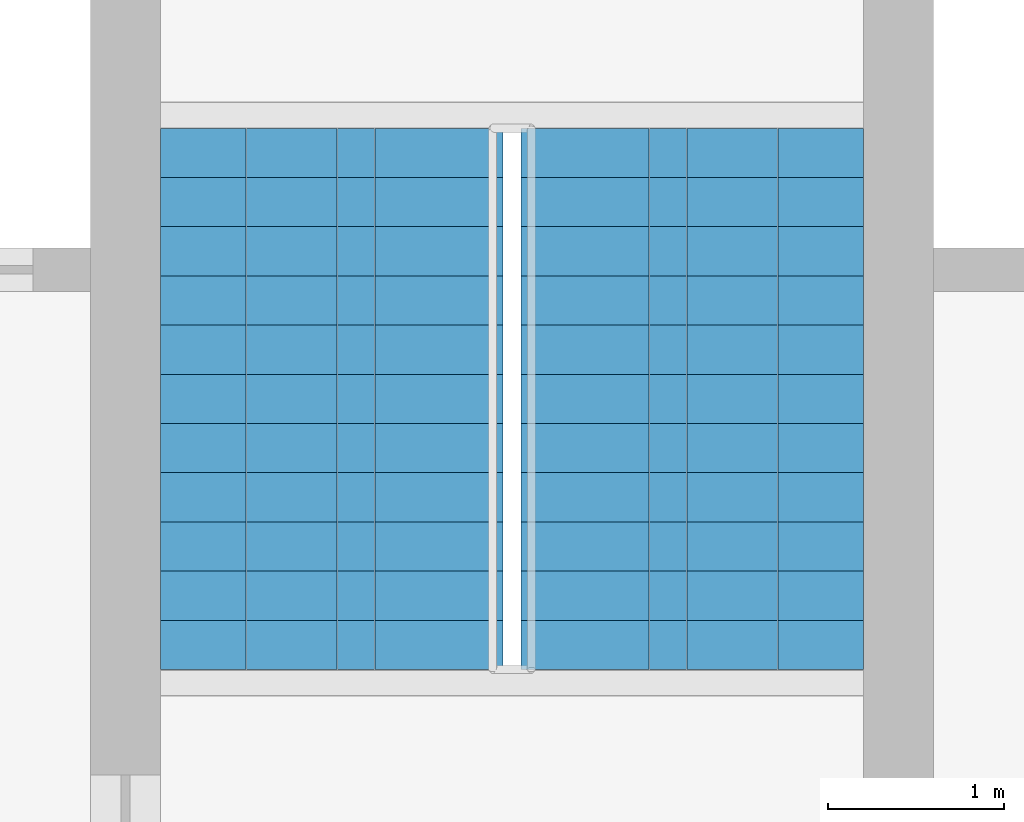
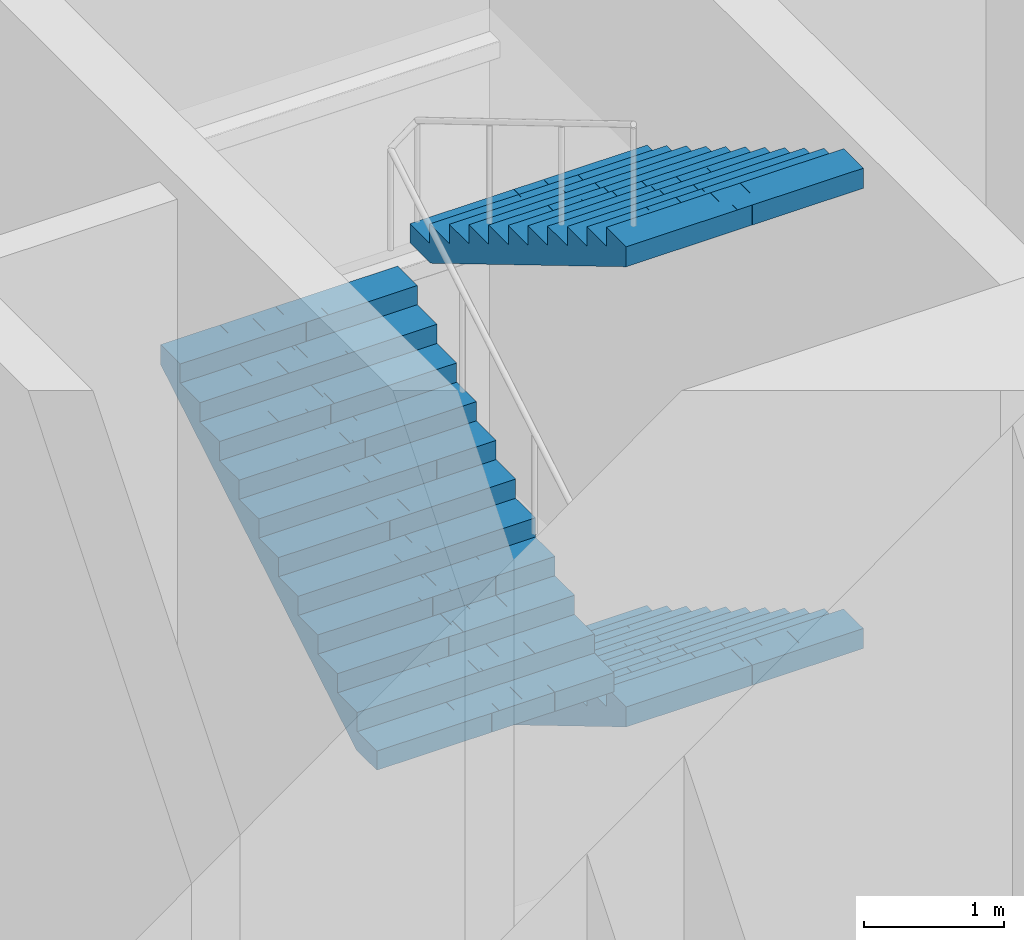
# One storey, part 20 of 25: 3 stair flights, 1 element without a shape of its own.
"""IFC4 building model written with IfcOpenShell, lengths in metres."""

from ifc_helpers import new_model, si_unit, direction, frame, origin, place, context, subcontext, project, spatial, polyline, outline, extrude, material, type_object, element, aggregate, save


model = new_model("IFC4")

# Units and contexts
model_context = context("Model", 3, precision=1e-05, world=origin(), true_north=direction((0.0, 1.0)))
body_context = subcontext(model_context, "Body", "Model", "MODEL_VIEW")
ifc_project = project(units=[si_unit("LENGTHUNIT", "METRE"), si_unit("AREAUNIT", "SQUARE_METRE"), si_unit("VOLUMEUNIT", "CUBIC_METRE"), si_unit("PLANEANGLEUNIT", "RADIAN"), si_unit("MASSUNIT", "GRAM", prefix="KILO")], contexts=[model_context])

# Site, building, storey
site_placement = place(None, origin())
site = spatial("IfcSite", under=ifc_project, at=site_placement, CompositionType="ELEMENT")
building_placement = place(site_placement, origin())
building = spatial("IfcBuilding", under=site, at=building_placement, Name="Mizan Broadcast Tower", CompositionType="ELEMENT")
storey_placement = place(building_placement, frame((0.0, 0.0, 15.0)))
storey = spatial("IfcBuildingStorey", under=building, at=storey_placement, Name="L02", CompositionType="ELEMENT", Elevation=15.0)

# Stair, stair flights
ifc_material_1 = material(Name="Concrete C40/50", Category="concrete")
stair_type = type_object("IfcStairType", Name="EXIT STAIR", PredefinedType="HALF_TURN_STAIR", material=ifc_material_1)
stair_placement = place(storey_placement, origin())
stair = element("IfcStair", 1, at=stair_placement, inside=storey, type_object=stair_type, Name="Stair A L02", PredefinedType="HALF_TURN_STAIR")
ifc_material_2 = material(Name="Concrete C40/50", Category="concrete")
stair_flight_type = type_object("IfcStairFlightType", Name="EXIT STAIR FLIGHT", PredefinedType="STRAIGHT", material=ifc_material_2)
stair_flight_1_placement = place(storey_placement, frame((1.02490234375, -4.820068359375, 2.0), z_axis=(0.0, 0.0, 1.0), x_axis=(0.0, -1.0, 0.0)))
stair_flight_1 = element("IfcStairFlight", 2, at=stair_flight_1_placement, type_object=stair_flight_type, Name="A flight 2", NumberOfRisers=12, NumberOfTreads=11, PredefinedType="STRAIGHT", RiserHeight=0.166666667, TreadLength=0.28, context=body_context, shape_type="SweptSolid", body=[
    extrude(outline(polyline([(0.0, 0.0), (0.0, 0.166748046875), (0.280029296875, 0.166748046875), (0.280029296875, 0.333251953125), (0.56005859375, 0.333251953125), (0.56005859375, 0.5), (0.840087890625, 0.5), (0.840087890625, 0.666748046875), (1.1201171875, 0.666748046875), (1.1201171875, 0.833251953125), (1.39990234375, 0.833251953125), (1.39990234375, 1.0), (1.679931640625, 1.0), (1.679931640625, 1.166748046875), (1.9599609375, 1.166748046875), (1.9599609375, 1.333251953125), (2.239990234375, 1.333251953125), (2.239990234375, 1.5), (2.52001953125, 1.5), (2.52001953125, 1.666748046875), (2.800048828125, 1.666748046875), (2.800048828125, 1.833251953125), (3.080078125, 1.833251953125), (3.080078125, 2.0), (3.080078125, 1.658935546875), (0.29296875, 0.0), (0.0, 0.0)])), frame((0.0, 0.97509765625, 0.0), z_axis=(0.0, -1.0, 0.0), x_axis=(1.0, 0.0, 0.0)), (0.0, 0.0, 1.0), 0.4873046875),
    extrude(outline(polyline([(0.0, 0.0), (0.0, 0.166748046875), (0.280029296875, 0.166748046875), (0.280029296875, 0.333251953125), (0.56005859375, 0.333251953125), (0.56005859375, 0.5), (0.840087890625, 0.5), (0.840087890625, 0.666748046875), (1.1201171875, 0.666748046875), (1.1201171875, 0.833251953125), (1.39990234375, 0.833251953125), (1.39990234375, 1.0), (1.679931640625, 1.0), (1.679931640625, 1.166748046875), (1.9599609375, 1.166748046875), (1.9599609375, 1.333251953125), (2.239990234375, 1.333251953125), (2.239990234375, 1.5), (2.52001953125, 1.5), (2.52001953125, 1.666748046875), (2.800048828125, 1.666748046875), (2.800048828125, 1.833251953125), (3.080078125, 1.833251953125), (3.080078125, 2.0), (3.080078125, 1.658935546875), (0.29296875, 0.0), (0.0, 0.0)])), frame((0.0, 0.4873046875, 0.0), z_axis=(0.0, -1.0, 0.0), x_axis=(1.0, 0.0, 0.0)), (0.0, 0.0, 1.0), 0.2431640625),
    extrude(outline(polyline([(0.0, 0.0), (0.0, 0.166748046875), (0.280029296875, 0.166748046875), (0.280029296875, 0.333251953125), (0.56005859375, 0.333251953125), (0.56005859375, 0.5), (0.840087890625, 0.5), (0.840087890625, 0.666748046875), (1.1201171875, 0.666748046875), (1.1201171875, 0.833251953125), (1.39990234375, 0.833251953125), (1.39990234375, 1.0), (1.679931640625, 1.0), (1.679931640625, 1.166748046875), (1.9599609375, 1.166748046875), (1.9599609375, 1.333251953125), (2.239990234375, 1.333251953125), (2.239990234375, 1.5), (2.52001953125, 1.5), (2.52001953125, 1.666748046875), (2.800048828125, 1.666748046875), (2.800048828125, 1.833251953125), (3.080078125, 1.833251953125), (3.080078125, 2.0), (3.080078125, 1.658935546875), (0.29296875, 0.0), (0.0, 0.0)])), frame((0.0, 0.24365234375, 0.0), z_axis=(0.0, -1.0, 0.0), x_axis=(1.0, 0.0, 0.0)), (0.0, 0.0, 1.0), 0.121337890625),
    extrude(outline(polyline([(0.0, 0.0), (0.0, 0.166748046875), (0.280029296875, 0.166748046875), (0.280029296875, 0.333251953125), (0.56005859375, 0.333251953125), (0.56005859375, 0.5), (0.840087890625, 0.5), (0.840087890625, 0.666748046875), (1.1201171875, 0.666748046875), (1.1201171875, 0.833251953125), (1.39990234375, 0.833251953125), (1.39990234375, 1.0), (1.679931640625, 1.0), (1.679931640625, 1.166748046875), (1.9599609375, 1.166748046875), (1.9599609375, 1.333251953125), (2.239990234375, 1.333251953125), (2.239990234375, 1.5), (2.52001953125, 1.5), (2.52001953125, 1.666748046875), (2.800048828125, 1.666748046875), (2.800048828125, 1.833251953125), (3.080078125, 1.833251953125), (3.080078125, 2.0), (3.080078125, 1.658935546875), (0.29296875, 0.0), (0.0, 0.0)])), frame((0.0, 0.121826171875, 0.0), z_axis=(0.0, -1.0, 0.0), x_axis=(1.0, 0.0, 0.0)), (0.0, 0.0, 1.0), 0.060546875),
    extrude(outline(polyline([(0.0, 0.0), (0.0, 0.166748046875), (0.280029296875, 0.166748046875), (0.280029296875, 0.333251953125), (0.56005859375, 0.333251953125), (0.56005859375, 0.5), (0.840087890625, 0.5), (0.840087890625, 0.666748046875), (1.1201171875, 0.666748046875), (1.1201171875, 0.833251953125), (1.39990234375, 0.833251953125), (1.39990234375, 1.0), (1.679931640625, 1.0), (1.679931640625, 1.166748046875), (1.9599609375, 1.166748046875), (1.9599609375, 1.333251953125), (2.239990234375, 1.333251953125), (2.239990234375, 1.5), (2.52001953125, 1.5), (2.52001953125, 1.666748046875), (2.800048828125, 1.666748046875), (2.800048828125, 1.833251953125), (3.080078125, 1.833251953125), (3.080078125, 2.0), (3.080078125, 1.658935546875), (0.29296875, 0.0), (0.0, 0.0)])), frame((0.0, 0.060791015625, 0.0), z_axis=(0.0, -1.0, 0.0), x_axis=(1.0, 0.0, 0.0)), (0.0, 0.0, 1.0), 0.030029296875),
    extrude(outline(polyline([(0.0, 0.0), (0.0, 0.166748046875), (0.280029296875, 0.166748046875), (0.280029296875, 0.333251953125), (0.56005859375, 0.333251953125), (0.56005859375, 0.5), (0.840087890625, 0.5), (0.840087890625, 0.666748046875), (1.1201171875, 0.666748046875), (1.1201171875, 0.833251953125), (1.39990234375, 0.833251953125), (1.39990234375, 1.0), (1.679931640625, 1.0), (1.679931640625, 1.166748046875), (1.9599609375, 1.166748046875), (1.9599609375, 1.333251953125), (2.239990234375, 1.333251953125), (2.239990234375, 1.5), (2.52001953125, 1.5), (2.52001953125, 1.666748046875), (2.800048828125, 1.666748046875), (2.800048828125, 1.833251953125), (3.080078125, 1.833251953125), (3.080078125, 2.0), (3.080078125, 1.658935546875), (0.29296875, 0.0), (0.0, 0.0)])), frame((0.0, 0.0302734375, 0.0), z_axis=(0.0, -1.0, 0.0), x_axis=(1.0, 0.0, 0.0)), (0.0, 0.0, 1.0), 0.060302734375),
    extrude(outline(polyline([(0.0, 0.0), (0.0, 0.166748046875), (0.280029296875, 0.166748046875), (0.280029296875, 0.333251953125), (0.56005859375, 0.333251953125), (0.56005859375, 0.5), (0.840087890625, 0.5), (0.840087890625, 0.666748046875), (1.1201171875, 0.666748046875), (1.1201171875, 0.833251953125), (1.39990234375, 0.833251953125), (1.39990234375, 1.0), (1.679931640625, 1.0), (1.679931640625, 1.166748046875), (1.9599609375, 1.166748046875), (1.9599609375, 1.333251953125), (2.239990234375, 1.333251953125), (2.239990234375, 1.5), (2.52001953125, 1.5), (2.52001953125, 1.666748046875), (2.800048828125, 1.666748046875), (2.800048828125, 1.833251953125), (3.080078125, 1.833251953125), (3.080078125, 2.0), (3.080078125, 1.658935546875), (0.29296875, 0.0), (0.0, 0.0)])), frame((0.0, -0.030517578125, 0.0), z_axis=(0.0, -1.0, 0.0), x_axis=(1.0, 0.0, 0.0)), (0.0, 0.0, 1.0), 0.030029296875),
    extrude(outline(polyline([(0.0, 0.0), (0.0, 0.166748046875), (0.280029296875, 0.166748046875), (0.280029296875, 0.333251953125), (0.56005859375, 0.333251953125), (0.56005859375, 0.5), (0.840087890625, 0.5), (0.840087890625, 0.666748046875), (1.1201171875, 0.666748046875), (1.1201171875, 0.833251953125), (1.39990234375, 0.833251953125), (1.39990234375, 1.0), (1.679931640625, 1.0), (1.679931640625, 1.166748046875), (1.9599609375, 1.166748046875), (1.9599609375, 1.333251953125), (2.239990234375, 1.333251953125), (2.239990234375, 1.5), (2.52001953125, 1.5), (2.52001953125, 1.666748046875), (2.800048828125, 1.666748046875), (2.800048828125, 1.833251953125), (3.080078125, 1.833251953125), (3.080078125, 2.0), (3.080078125, 1.658935546875), (0.29296875, 0.0), (0.0, 0.0)])), frame((0.0, -0.06103515625, 0.0), z_axis=(0.0, -1.0, 0.0), x_axis=(1.0, 0.0, 0.0)), (0.0, 0.0, 1.0), 0.060546875),
    extrude(outline(polyline([(0.0, 0.0), (0.0, 0.166748046875), (0.280029296875, 0.166748046875), (0.280029296875, 0.333251953125), (0.56005859375, 0.333251953125), (0.56005859375, 0.5), (0.840087890625, 0.5), (0.840087890625, 0.666748046875), (1.1201171875, 0.666748046875), (1.1201171875, 0.833251953125), (1.39990234375, 0.833251953125), (1.39990234375, 1.0), (1.679931640625, 1.0), (1.679931640625, 1.166748046875), (1.9599609375, 1.166748046875), (1.9599609375, 1.333251953125), (2.239990234375, 1.333251953125), (2.239990234375, 1.5), (2.52001953125, 1.5), (2.52001953125, 1.666748046875), (2.800048828125, 1.666748046875), (2.800048828125, 1.833251953125), (3.080078125, 1.833251953125), (3.080078125, 2.0), (3.080078125, 1.658935546875), (0.29296875, 0.0), (0.0, 0.0)])), frame((0.0, -0.1220703125, 0.0), z_axis=(0.0, -1.0, 0.0), x_axis=(1.0, 0.0, 0.0)), (0.0, 0.0, 1.0), 0.121337890625),
    extrude(outline(polyline([(0.0, 0.0), (0.0, 0.166748046875), (0.280029296875, 0.166748046875), (0.280029296875, 0.333251953125), (0.56005859375, 0.333251953125), (0.56005859375, 0.5), (0.840087890625, 0.5), (0.840087890625, 0.666748046875), (1.1201171875, 0.666748046875), (1.1201171875, 0.833251953125), (1.39990234375, 0.833251953125), (1.39990234375, 1.0), (1.679931640625, 1.0), (1.679931640625, 1.166748046875), (1.9599609375, 1.166748046875), (1.9599609375, 1.333251953125), (2.239990234375, 1.333251953125), (2.239990234375, 1.5), (2.52001953125, 1.5), (2.52001953125, 1.666748046875), (2.800048828125, 1.666748046875), (2.800048828125, 1.833251953125), (3.080078125, 1.833251953125), (3.080078125, 2.0), (3.080078125, 1.658935546875), (0.29296875, 0.0), (0.0, 0.0)])), frame((0.0, -0.243896484375, 0.0), z_axis=(0.0, -1.0, 0.0), x_axis=(1.0, 0.0, 0.0)), (0.0, 0.0, 1.0), 0.2431640625),
    extrude(outline(polyline([(0.0, 0.0), (0.0, 0.166748046875), (0.280029296875, 0.166748046875), (0.280029296875, 0.333251953125), (0.56005859375, 0.333251953125), (0.56005859375, 0.5), (0.840087890625, 0.5), (0.840087890625, 0.666748046875), (1.1201171875, 0.666748046875), (1.1201171875, 0.833251953125), (1.39990234375, 0.833251953125), (1.39990234375, 1.0), (1.679931640625, 1.0), (1.679931640625, 1.166748046875), (1.9599609375, 1.166748046875), (1.9599609375, 1.333251953125), (2.239990234375, 1.333251953125), (2.239990234375, 1.5), (2.52001953125, 1.5), (2.52001953125, 1.666748046875), (2.800048828125, 1.666748046875), (2.800048828125, 1.833251953125), (3.080078125, 1.833251953125), (3.080078125, 2.0), (3.080078125, 1.658935546875), (0.29296875, 0.0), (0.0, 0.0)])), frame((0.0, -0.487548828125, 0.0), z_axis=(0.0, -1.0, 0.0), x_axis=(1.0, 0.0, 0.0)), (0.0, 0.0, 1.0), 0.4873046875),
])
stair_flight_2_placement = place(storey_placement, frame((-1.02490234375, -7.89990234375, 4.0), z_axis=(0.0, 0.0, 1.0), x_axis=(0.0, 1.0, 0.0)))
stair_flight_2 = element("IfcStairFlight", 3, at=stair_flight_2_placement, type_object=stair_flight_type, Name="A flight 3", NumberOfRisers=12, NumberOfTreads=11, PredefinedType="STRAIGHT", RiserHeight=0.166666667, TreadLength=0.28, context=body_context, shape_type="SweptSolid", body=[
    extrude(outline(polyline([(0.0, 0.0), (0.0, 0.166748046875), (0.280029296875, 0.166748046875), (0.280029296875, 0.333251953125), (0.56005859375, 0.333251953125), (0.56005859375, 0.5), (0.840087890625, 0.5), (0.840087890625, 0.666748046875), (1.1201171875, 0.666748046875), (1.1201171875, 0.833251953125), (1.39990234375, 0.833251953125), (1.39990234375, 1.0), (1.679931640625, 1.0), (1.679931640625, 1.166748046875), (1.9599609375, 1.166748046875), (1.9599609375, 1.333251953125), (2.239990234375, 1.333251953125), (2.239990234375, 1.5), (2.52001953125, 1.5), (2.52001953125, 1.666748046875), (2.800048828125, 1.666748046875), (2.800048828125, 1.833251953125), (3.080078125, 1.833251953125), (3.080078125, 2.0), (3.080078125, 1.658935546875), (0.29296875, 0.0), (0.0, 0.0)])), frame((0.0, 0.97509765625, 0.0), z_axis=(0.0, -1.0, 0.0), x_axis=(1.0, 0.0, 0.0)), (0.0, 0.0, 1.0), 0.4873046875),
    extrude(outline(polyline([(0.0, 0.0), (0.0, 0.166748046875), (0.280029296875, 0.166748046875), (0.280029296875, 0.333251953125), (0.56005859375, 0.333251953125), (0.56005859375, 0.5), (0.840087890625, 0.5), (0.840087890625, 0.666748046875), (1.1201171875, 0.666748046875), (1.1201171875, 0.833251953125), (1.39990234375, 0.833251953125), (1.39990234375, 1.0), (1.679931640625, 1.0), (1.679931640625, 1.166748046875), (1.9599609375, 1.166748046875), (1.9599609375, 1.333251953125), (2.239990234375, 1.333251953125), (2.239990234375, 1.5), (2.52001953125, 1.5), (2.52001953125, 1.666748046875), (2.800048828125, 1.666748046875), (2.800048828125, 1.833251953125), (3.080078125, 1.833251953125), (3.080078125, 2.0), (3.080078125, 1.658935546875), (0.29296875, 0.0), (0.0, 0.0)])), frame((0.0, 0.4873046875, 0.0), z_axis=(0.0, -1.0, 0.0), x_axis=(1.0, 0.0, 0.0)), (0.0, 0.0, 1.0), 0.2431640625),
    extrude(outline(polyline([(0.0, 0.0), (0.0, 0.166748046875), (0.280029296875, 0.166748046875), (0.280029296875, 0.333251953125), (0.56005859375, 0.333251953125), (0.56005859375, 0.5), (0.840087890625, 0.5), (0.840087890625, 0.666748046875), (1.1201171875, 0.666748046875), (1.1201171875, 0.833251953125), (1.39990234375, 0.833251953125), (1.39990234375, 1.0), (1.679931640625, 1.0), (1.679931640625, 1.166748046875), (1.9599609375, 1.166748046875), (1.9599609375, 1.333251953125), (2.239990234375, 1.333251953125), (2.239990234375, 1.5), (2.52001953125, 1.5), (2.52001953125, 1.666748046875), (2.800048828125, 1.666748046875), (2.800048828125, 1.833251953125), (3.080078125, 1.833251953125), (3.080078125, 2.0), (3.080078125, 1.658935546875), (0.29296875, 0.0), (0.0, 0.0)])), frame((0.0, 0.24365234375, 0.0), z_axis=(0.0, -1.0, 0.0), x_axis=(1.0, 0.0, 0.0)), (0.0, 0.0, 1.0), 0.121337890625),
    extrude(outline(polyline([(0.0, 0.0), (0.0, 0.166748046875), (0.280029296875, 0.166748046875), (0.280029296875, 0.333251953125), (0.56005859375, 0.333251953125), (0.56005859375, 0.5), (0.840087890625, 0.5), (0.840087890625, 0.666748046875), (1.1201171875, 0.666748046875), (1.1201171875, 0.833251953125), (1.39990234375, 0.833251953125), (1.39990234375, 1.0), (1.679931640625, 1.0), (1.679931640625, 1.166748046875), (1.9599609375, 1.166748046875), (1.9599609375, 1.333251953125), (2.239990234375, 1.333251953125), (2.239990234375, 1.5), (2.52001953125, 1.5), (2.52001953125, 1.666748046875), (2.800048828125, 1.666748046875), (2.800048828125, 1.833251953125), (3.080078125, 1.833251953125), (3.080078125, 2.0), (3.080078125, 1.658935546875), (0.29296875, 0.0), (0.0, 0.0)])), frame((0.0, 0.121826171875, 0.0), z_axis=(0.0, -1.0, 0.0), x_axis=(1.0, 0.0, 0.0)), (0.0, 0.0, 1.0), 0.060546875),
    extrude(outline(polyline([(0.0, 0.0), (0.0, 0.166748046875), (0.280029296875, 0.166748046875), (0.280029296875, 0.333251953125), (0.56005859375, 0.333251953125), (0.56005859375, 0.5), (0.840087890625, 0.5), (0.840087890625, 0.666748046875), (1.1201171875, 0.666748046875), (1.1201171875, 0.833251953125), (1.39990234375, 0.833251953125), (1.39990234375, 1.0), (1.679931640625, 1.0), (1.679931640625, 1.166748046875), (1.9599609375, 1.166748046875), (1.9599609375, 1.333251953125), (2.239990234375, 1.333251953125), (2.239990234375, 1.5), (2.52001953125, 1.5), (2.52001953125, 1.666748046875), (2.800048828125, 1.666748046875), (2.800048828125, 1.833251953125), (3.080078125, 1.833251953125), (3.080078125, 2.0), (3.080078125, 1.658935546875), (0.29296875, 0.0), (0.0, 0.0)])), frame((0.0, 0.060791015625, 0.0), z_axis=(0.0, -1.0, 0.0), x_axis=(1.0, 0.0, 0.0)), (0.0, 0.0, 1.0), 0.030029296875),
    extrude(outline(polyline([(0.0, 0.0), (0.0, 0.166748046875), (0.280029296875, 0.166748046875), (0.280029296875, 0.333251953125), (0.56005859375, 0.333251953125), (0.56005859375, 0.5), (0.840087890625, 0.5), (0.840087890625, 0.666748046875), (1.1201171875, 0.666748046875), (1.1201171875, 0.833251953125), (1.39990234375, 0.833251953125), (1.39990234375, 1.0), (1.679931640625, 1.0), (1.679931640625, 1.166748046875), (1.9599609375, 1.166748046875), (1.9599609375, 1.333251953125), (2.239990234375, 1.333251953125), (2.239990234375, 1.5), (2.52001953125, 1.5), (2.52001953125, 1.666748046875), (2.800048828125, 1.666748046875), (2.800048828125, 1.833251953125), (3.080078125, 1.833251953125), (3.080078125, 2.0), (3.080078125, 1.658935546875), (0.29296875, 0.0), (0.0, 0.0)])), frame((0.0, 0.0302734375, 0.0), z_axis=(0.0, -1.0, 0.0), x_axis=(1.0, 0.0, 0.0)), (0.0, 0.0, 1.0), 0.060302734375),
    extrude(outline(polyline([(0.0, 0.0), (0.0, 0.166748046875), (0.280029296875, 0.166748046875), (0.280029296875, 0.333251953125), (0.56005859375, 0.333251953125), (0.56005859375, 0.5), (0.840087890625, 0.5), (0.840087890625, 0.666748046875), (1.1201171875, 0.666748046875), (1.1201171875, 0.833251953125), (1.39990234375, 0.833251953125), (1.39990234375, 1.0), (1.679931640625, 1.0), (1.679931640625, 1.166748046875), (1.9599609375, 1.166748046875), (1.9599609375, 1.333251953125), (2.239990234375, 1.333251953125), (2.239990234375, 1.5), (2.52001953125, 1.5), (2.52001953125, 1.666748046875), (2.800048828125, 1.666748046875), (2.800048828125, 1.833251953125), (3.080078125, 1.833251953125), (3.080078125, 2.0), (3.080078125, 1.658935546875), (0.29296875, 0.0), (0.0, 0.0)])), frame((0.0, -0.030517578125, 0.0), z_axis=(0.0, -1.0, 0.0), x_axis=(1.0, 0.0, 0.0)), (0.0, 0.0, 1.0), 0.030029296875),
    extrude(outline(polyline([(0.0, 0.0), (0.0, 0.166748046875), (0.280029296875, 0.166748046875), (0.280029296875, 0.333251953125), (0.56005859375, 0.333251953125), (0.56005859375, 0.5), (0.840087890625, 0.5), (0.840087890625, 0.666748046875), (1.1201171875, 0.666748046875), (1.1201171875, 0.833251953125), (1.39990234375, 0.833251953125), (1.39990234375, 1.0), (1.679931640625, 1.0), (1.679931640625, 1.166748046875), (1.9599609375, 1.166748046875), (1.9599609375, 1.333251953125), (2.239990234375, 1.333251953125), (2.239990234375, 1.5), (2.52001953125, 1.5), (2.52001953125, 1.666748046875), (2.800048828125, 1.666748046875), (2.800048828125, 1.833251953125), (3.080078125, 1.833251953125), (3.080078125, 2.0), (3.080078125, 1.658935546875), (0.29296875, 0.0), (0.0, 0.0)])), frame((0.0, -0.06103515625, 0.0), z_axis=(0.0, -1.0, 0.0), x_axis=(1.0, 0.0, 0.0)), (0.0, 0.0, 1.0), 0.060546875),
    extrude(outline(polyline([(0.0, 0.0), (0.0, 0.166748046875), (0.280029296875, 0.166748046875), (0.280029296875, 0.333251953125), (0.56005859375, 0.333251953125), (0.56005859375, 0.5), (0.840087890625, 0.5), (0.840087890625, 0.666748046875), (1.1201171875, 0.666748046875), (1.1201171875, 0.833251953125), (1.39990234375, 0.833251953125), (1.39990234375, 1.0), (1.679931640625, 1.0), (1.679931640625, 1.166748046875), (1.9599609375, 1.166748046875), (1.9599609375, 1.333251953125), (2.239990234375, 1.333251953125), (2.239990234375, 1.5), (2.52001953125, 1.5), (2.52001953125, 1.666748046875), (2.800048828125, 1.666748046875), (2.800048828125, 1.833251953125), (3.080078125, 1.833251953125), (3.080078125, 2.0), (3.080078125, 1.658935546875), (0.29296875, 0.0), (0.0, 0.0)])), frame((0.0, -0.1220703125, 0.0), z_axis=(0.0, -1.0, 0.0), x_axis=(1.0, 0.0, 0.0)), (0.0, 0.0, 1.0), 0.121337890625),
    extrude(outline(polyline([(0.0, 0.0), (0.0, 0.166748046875), (0.280029296875, 0.166748046875), (0.280029296875, 0.333251953125), (0.56005859375, 0.333251953125), (0.56005859375, 0.5), (0.840087890625, 0.5), (0.840087890625, 0.666748046875), (1.1201171875, 0.666748046875), (1.1201171875, 0.833251953125), (1.39990234375, 0.833251953125), (1.39990234375, 1.0), (1.679931640625, 1.0), (1.679931640625, 1.166748046875), (1.9599609375, 1.166748046875), (1.9599609375, 1.333251953125), (2.239990234375, 1.333251953125), (2.239990234375, 1.5), (2.52001953125, 1.5), (2.52001953125, 1.666748046875), (2.800048828125, 1.666748046875), (2.800048828125, 1.833251953125), (3.080078125, 1.833251953125), (3.080078125, 2.0), (3.080078125, 1.658935546875), (0.29296875, 0.0), (0.0, 0.0)])), frame((0.0, -0.243896484375, 0.0), z_axis=(0.0, -1.0, 0.0), x_axis=(1.0, 0.0, 0.0)), (0.0, 0.0, 1.0), 0.2431640625),
    extrude(outline(polyline([(0.0, 0.0), (0.0, 0.166748046875), (0.280029296875, 0.166748046875), (0.280029296875, 0.333251953125), (0.56005859375, 0.333251953125), (0.56005859375, 0.5), (0.840087890625, 0.5), (0.840087890625, 0.666748046875), (1.1201171875, 0.666748046875), (1.1201171875, 0.833251953125), (1.39990234375, 0.833251953125), (1.39990234375, 1.0), (1.679931640625, 1.0), (1.679931640625, 1.166748046875), (1.9599609375, 1.166748046875), (1.9599609375, 1.333251953125), (2.239990234375, 1.333251953125), (2.239990234375, 1.5), (2.52001953125, 1.5), (2.52001953125, 1.666748046875), (2.800048828125, 1.666748046875), (2.800048828125, 1.833251953125), (3.080078125, 1.833251953125), (3.080078125, 2.0), (3.080078125, 1.658935546875), (0.29296875, 0.0), (0.0, 0.0)])), frame((0.0, -0.487548828125, 0.0), z_axis=(0.0, -1.0, 0.0), x_axis=(1.0, 0.0, 0.0)), (0.0, 0.0, 1.0), 0.4873046875),
])
stair_flight_3_placement = place(storey_placement, frame((1.02490234375, -4.820068359375, 6.0), z_axis=(0.0, 0.0, 1.0), x_axis=(0.0, -1.0, 0.0)))
stair_flight_3 = element("IfcStairFlight", 4, at=stair_flight_3_placement, type_object=stair_flight_type, Name="A flight 4", NumberOfRisers=12, NumberOfTreads=11, PredefinedType="STRAIGHT", RiserHeight=0.166666667, TreadLength=0.28, context=body_context, shape_type="SweptSolid", body=[
    extrude(outline(polyline([(0.0, 0.0), (0.0, 0.166748046875), (0.280029296875, 0.166748046875), (0.280029296875, 0.333251953125), (0.56005859375, 0.333251953125), (0.56005859375, 0.5), (0.840087890625, 0.5), (0.840087890625, 0.666748046875), (1.1201171875, 0.666748046875), (1.1201171875, 0.833251953125), (1.39990234375, 0.833251953125), (1.39990234375, 1.0), (1.679931640625, 1.0), (1.679931640625, 1.166748046875), (1.9599609375, 1.166748046875), (1.9599609375, 1.333251953125), (2.239990234375, 1.333251953125), (2.239990234375, 1.5), (2.52001953125, 1.5), (2.52001953125, 1.666748046875), (2.800048828125, 1.666748046875), (2.800048828125, 1.833251953125), (3.080078125, 1.833251953125), (3.080078125, 2.0), (3.080078125, 1.658935546875), (0.29296875, 0.0), (0.0, 0.0)])), frame((0.0, 0.97509765625, 0.0), z_axis=(0.0, -1.0, 0.0), x_axis=(1.0, 0.0, 0.0)), (0.0, 0.0, 1.0), 0.4873046875),
    extrude(outline(polyline([(0.0, 0.0), (0.0, 0.166748046875), (0.280029296875, 0.166748046875), (0.280029296875, 0.333251953125), (0.56005859375, 0.333251953125), (0.56005859375, 0.5), (0.840087890625, 0.5), (0.840087890625, 0.666748046875), (1.1201171875, 0.666748046875), (1.1201171875, 0.833251953125), (1.39990234375, 0.833251953125), (1.39990234375, 1.0), (1.679931640625, 1.0), (1.679931640625, 1.166748046875), (1.9599609375, 1.166748046875), (1.9599609375, 1.333251953125), (2.239990234375, 1.333251953125), (2.239990234375, 1.5), (2.52001953125, 1.5), (2.52001953125, 1.666748046875), (2.800048828125, 1.666748046875), (2.800048828125, 1.833251953125), (3.080078125, 1.833251953125), (3.080078125, 2.0), (3.080078125, 1.658935546875), (0.29296875, 0.0), (0.0, 0.0)])), frame((0.0, 0.4873046875, 0.0), z_axis=(0.0, -1.0, 0.0), x_axis=(1.0, 0.0, 0.0)), (0.0, 0.0, 1.0), 0.2431640625),
    extrude(outline(polyline([(0.0, 0.0), (0.0, 0.166748046875), (0.280029296875, 0.166748046875), (0.280029296875, 0.333251953125), (0.56005859375, 0.333251953125), (0.56005859375, 0.5), (0.840087890625, 0.5), (0.840087890625, 0.666748046875), (1.1201171875, 0.666748046875), (1.1201171875, 0.833251953125), (1.39990234375, 0.833251953125), (1.39990234375, 1.0), (1.679931640625, 1.0), (1.679931640625, 1.166748046875), (1.9599609375, 1.166748046875), (1.9599609375, 1.333251953125), (2.239990234375, 1.333251953125), (2.239990234375, 1.5), (2.52001953125, 1.5), (2.52001953125, 1.666748046875), (2.800048828125, 1.666748046875), (2.800048828125, 1.833251953125), (3.080078125, 1.833251953125), (3.080078125, 2.0), (3.080078125, 1.658935546875), (0.29296875, 0.0), (0.0, 0.0)])), frame((0.0, 0.24365234375, 0.0), z_axis=(0.0, -1.0, 0.0), x_axis=(1.0, 0.0, 0.0)), (0.0, 0.0, 1.0), 0.121337890625),
    extrude(outline(polyline([(0.0, 0.0), (0.0, 0.166748046875), (0.280029296875, 0.166748046875), (0.280029296875, 0.333251953125), (0.56005859375, 0.333251953125), (0.56005859375, 0.5), (0.840087890625, 0.5), (0.840087890625, 0.666748046875), (1.1201171875, 0.666748046875), (1.1201171875, 0.833251953125), (1.39990234375, 0.833251953125), (1.39990234375, 1.0), (1.679931640625, 1.0), (1.679931640625, 1.166748046875), (1.9599609375, 1.166748046875), (1.9599609375, 1.333251953125), (2.239990234375, 1.333251953125), (2.239990234375, 1.5), (2.52001953125, 1.5), (2.52001953125, 1.666748046875), (2.800048828125, 1.666748046875), (2.800048828125, 1.833251953125), (3.080078125, 1.833251953125), (3.080078125, 2.0), (3.080078125, 1.658935546875), (0.29296875, 0.0), (0.0, 0.0)])), frame((0.0, 0.121826171875, 0.0), z_axis=(0.0, -1.0, 0.0), x_axis=(1.0, 0.0, 0.0)), (0.0, 0.0, 1.0), 0.060546875),
    extrude(outline(polyline([(0.0, 0.0), (0.0, 0.166748046875), (0.280029296875, 0.166748046875), (0.280029296875, 0.333251953125), (0.56005859375, 0.333251953125), (0.56005859375, 0.5), (0.840087890625, 0.5), (0.840087890625, 0.666748046875), (1.1201171875, 0.666748046875), (1.1201171875, 0.833251953125), (1.39990234375, 0.833251953125), (1.39990234375, 1.0), (1.679931640625, 1.0), (1.679931640625, 1.166748046875), (1.9599609375, 1.166748046875), (1.9599609375, 1.333251953125), (2.239990234375, 1.333251953125), (2.239990234375, 1.5), (2.52001953125, 1.5), (2.52001953125, 1.666748046875), (2.800048828125, 1.666748046875), (2.800048828125, 1.833251953125), (3.080078125, 1.833251953125), (3.080078125, 2.0), (3.080078125, 1.658935546875), (0.29296875, 0.0), (0.0, 0.0)])), frame((0.0, 0.060791015625, 0.0), z_axis=(0.0, -1.0, 0.0), x_axis=(1.0, 0.0, 0.0)), (0.0, 0.0, 1.0), 0.030029296875),
    extrude(outline(polyline([(0.0, 0.0), (0.0, 0.166748046875), (0.280029296875, 0.166748046875), (0.280029296875, 0.333251953125), (0.56005859375, 0.333251953125), (0.56005859375, 0.5), (0.840087890625, 0.5), (0.840087890625, 0.666748046875), (1.1201171875, 0.666748046875), (1.1201171875, 0.833251953125), (1.39990234375, 0.833251953125), (1.39990234375, 1.0), (1.679931640625, 1.0), (1.679931640625, 1.166748046875), (1.9599609375, 1.166748046875), (1.9599609375, 1.333251953125), (2.239990234375, 1.333251953125), (2.239990234375, 1.5), (2.52001953125, 1.5), (2.52001953125, 1.666748046875), (2.800048828125, 1.666748046875), (2.800048828125, 1.833251953125), (3.080078125, 1.833251953125), (3.080078125, 2.0), (3.080078125, 1.658935546875), (0.29296875, 0.0), (0.0, 0.0)])), frame((0.0, 0.0302734375, 0.0), z_axis=(0.0, -1.0, 0.0), x_axis=(1.0, 0.0, 0.0)), (0.0, 0.0, 1.0), 0.060302734375),
    extrude(outline(polyline([(0.0, 0.0), (0.0, 0.166748046875), (0.280029296875, 0.166748046875), (0.280029296875, 0.333251953125), (0.56005859375, 0.333251953125), (0.56005859375, 0.5), (0.840087890625, 0.5), (0.840087890625, 0.666748046875), (1.1201171875, 0.666748046875), (1.1201171875, 0.833251953125), (1.39990234375, 0.833251953125), (1.39990234375, 1.0), (1.679931640625, 1.0), (1.679931640625, 1.166748046875), (1.9599609375, 1.166748046875), (1.9599609375, 1.333251953125), (2.239990234375, 1.333251953125), (2.239990234375, 1.5), (2.52001953125, 1.5), (2.52001953125, 1.666748046875), (2.800048828125, 1.666748046875), (2.800048828125, 1.833251953125), (3.080078125, 1.833251953125), (3.080078125, 2.0), (3.080078125, 1.658935546875), (0.29296875, 0.0), (0.0, 0.0)])), frame((0.0, -0.030517578125, 0.0), z_axis=(0.0, -1.0, 0.0), x_axis=(1.0, 0.0, 0.0)), (0.0, 0.0, 1.0), 0.030029296875),
    extrude(outline(polyline([(0.0, 0.0), (0.0, 0.166748046875), (0.280029296875, 0.166748046875), (0.280029296875, 0.333251953125), (0.56005859375, 0.333251953125), (0.56005859375, 0.5), (0.840087890625, 0.5), (0.840087890625, 0.666748046875), (1.1201171875, 0.666748046875), (1.1201171875, 0.833251953125), (1.39990234375, 0.833251953125), (1.39990234375, 1.0), (1.679931640625, 1.0), (1.679931640625, 1.166748046875), (1.9599609375, 1.166748046875), (1.9599609375, 1.333251953125), (2.239990234375, 1.333251953125), (2.239990234375, 1.5), (2.52001953125, 1.5), (2.52001953125, 1.666748046875), (2.800048828125, 1.666748046875), (2.800048828125, 1.833251953125), (3.080078125, 1.833251953125), (3.080078125, 2.0), (3.080078125, 1.658935546875), (0.29296875, 0.0), (0.0, 0.0)])), frame((0.0, -0.06103515625, 0.0), z_axis=(0.0, -1.0, 0.0), x_axis=(1.0, 0.0, 0.0)), (0.0, 0.0, 1.0), 0.060546875),
    extrude(outline(polyline([(0.0, 0.0), (0.0, 0.166748046875), (0.280029296875, 0.166748046875), (0.280029296875, 0.333251953125), (0.56005859375, 0.333251953125), (0.56005859375, 0.5), (0.840087890625, 0.5), (0.840087890625, 0.666748046875), (1.1201171875, 0.666748046875), (1.1201171875, 0.833251953125), (1.39990234375, 0.833251953125), (1.39990234375, 1.0), (1.679931640625, 1.0), (1.679931640625, 1.166748046875), (1.9599609375, 1.166748046875), (1.9599609375, 1.333251953125), (2.239990234375, 1.333251953125), (2.239990234375, 1.5), (2.52001953125, 1.5), (2.52001953125, 1.666748046875), (2.800048828125, 1.666748046875), (2.800048828125, 1.833251953125), (3.080078125, 1.833251953125), (3.080078125, 2.0), (3.080078125, 1.658935546875), (0.29296875, 0.0), (0.0, 0.0)])), frame((0.0, -0.1220703125, 0.0), z_axis=(0.0, -1.0, 0.0), x_axis=(1.0, 0.0, 0.0)), (0.0, 0.0, 1.0), 0.121337890625),
    extrude(outline(polyline([(0.0, 0.0), (0.0, 0.166748046875), (0.280029296875, 0.166748046875), (0.280029296875, 0.333251953125), (0.56005859375, 0.333251953125), (0.56005859375, 0.5), (0.840087890625, 0.5), (0.840087890625, 0.666748046875), (1.1201171875, 0.666748046875), (1.1201171875, 0.833251953125), (1.39990234375, 0.833251953125), (1.39990234375, 1.0), (1.679931640625, 1.0), (1.679931640625, 1.166748046875), (1.9599609375, 1.166748046875), (1.9599609375, 1.333251953125), (2.239990234375, 1.333251953125), (2.239990234375, 1.5), (2.52001953125, 1.5), (2.52001953125, 1.666748046875), (2.800048828125, 1.666748046875), (2.800048828125, 1.833251953125), (3.080078125, 1.833251953125), (3.080078125, 2.0), (3.080078125, 1.658935546875), (0.29296875, 0.0), (0.0, 0.0)])), frame((0.0, -0.243896484375, 0.0), z_axis=(0.0, -1.0, 0.0), x_axis=(1.0, 0.0, 0.0)), (0.0, 0.0, 1.0), 0.2431640625),
    extrude(outline(polyline([(0.0, 0.0), (0.0, 0.166748046875), (0.280029296875, 0.166748046875), (0.280029296875, 0.333251953125), (0.56005859375, 0.333251953125), (0.56005859375, 0.5), (0.840087890625, 0.5), (0.840087890625, 0.666748046875), (1.1201171875, 0.666748046875), (1.1201171875, 0.833251953125), (1.39990234375, 0.833251953125), (1.39990234375, 1.0), (1.679931640625, 1.0), (1.679931640625, 1.166748046875), (1.9599609375, 1.166748046875), (1.9599609375, 1.333251953125), (2.239990234375, 1.333251953125), (2.239990234375, 1.5), (2.52001953125, 1.5), (2.52001953125, 1.666748046875), (2.800048828125, 1.666748046875), (2.800048828125, 1.833251953125), (3.080078125, 1.833251953125), (3.080078125, 2.0), (3.080078125, 1.658935546875), (0.29296875, 0.0), (0.0, 0.0)])), frame((0.0, -0.487548828125, 0.0), z_axis=(0.0, -1.0, 0.0), x_axis=(1.0, 0.0, 0.0)), (0.0, 0.0, 1.0), 0.4873046875),
])
aggregate(stair, [stair_flight_1, stair_flight_2, stair_flight_3])

save(model, "model.ifc")
